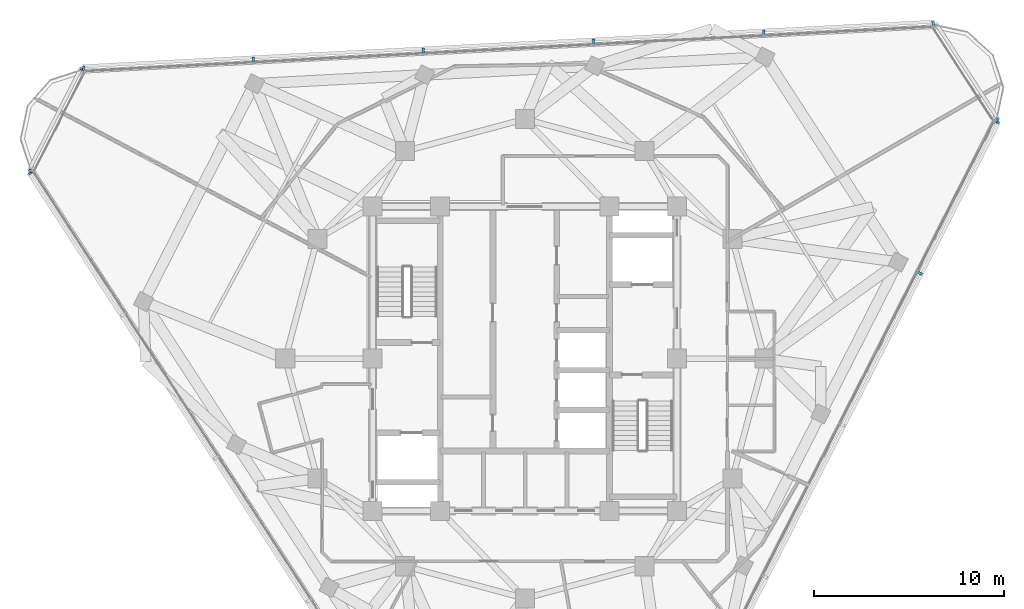
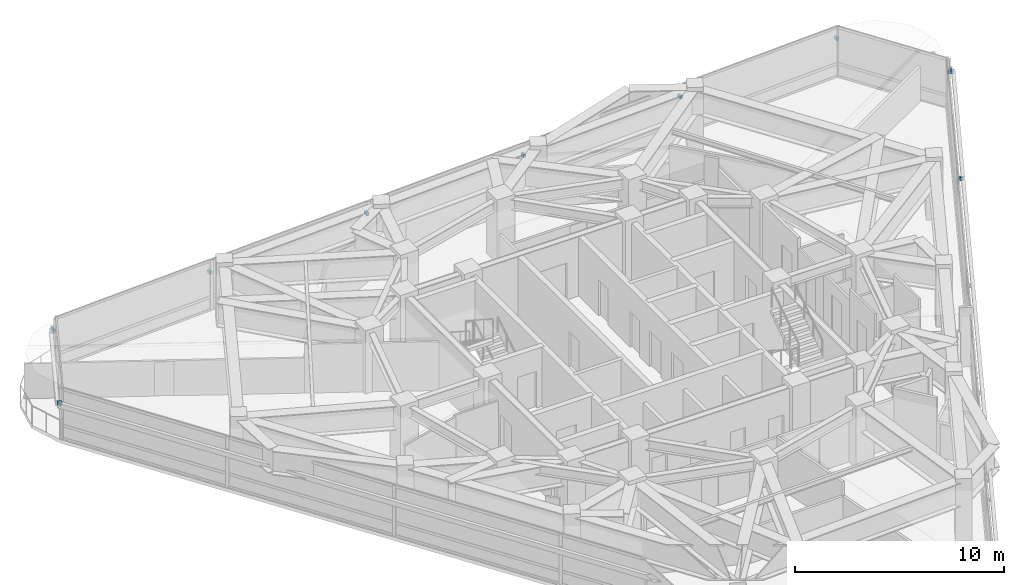
# One storey, part 11 of 15: 12 discrete accessories.
"""IFC4 building model written with IfcOpenShell, lengths in metres."""

from ifc_helpers import new_model, si_unit, direction, frame, origin, origin_2d, place, context, subcontext, project, spatial, rectangle, extrude, material, type_object, element, save


model = new_model("IFC4")

# Units and contexts
model_context = context("Model", 3, precision=1e-05, world=origin(), true_north=direction((0.0, 1.0)))
body_context = subcontext(model_context, "Body", "Model", "MODEL_VIEW")
ifc_project = project(units=[si_unit("LENGTHUNIT", "METRE"), si_unit("AREAUNIT", "SQUARE_METRE"), si_unit("VOLUMEUNIT", "CUBIC_METRE"), si_unit("PLANEANGLEUNIT", "RADIAN"), si_unit("MASSUNIT", "GRAM", prefix="KILO")], contexts=[model_context])

# Site, building, storey
site_placement = place(None, origin())
site = spatial("IfcSite", under=ifc_project, at=site_placement, CompositionType="ELEMENT")
building_placement = place(site_placement, origin())
building = spatial("IfcBuilding", under=site, at=building_placement, Name="Terralouvre Media Tower", CompositionType="ELEMENT")
storey_placement = place(building_placement, frame((0.0, 0.0, 274.39990234375)))
storey = spatial("IfcBuildingStorey", under=building, at=storey_placement, Name="L71", CompositionType="ELEMENT", Elevation=274.39990234375)

# Discrete accessories
ifc_material = material(Name="Anodised extruded aluminium 6063-T6", Category="aluminium")
discrete_accessory_type = type_object("IfcDiscreteAccessoryType", Name="Mullion Stand-Off Baguette Fixing Bracket BK-01", PredefinedType="BRACKET", material=ifc_material)
for number, where, z_axis, x_axis, name in (
    (1, (20.77880859375, 4.49658203125, 2.04931640625), (0.0, 0.0, 1.0), (0.45399044259, 0.891006553308, 0.0), "CW-L71-F0 Baguette Outrigger Bracket 1.05"),
    (2, (24.82958984375, 12.44677734375, 2.04931640625), (0.0, 0.0, 1.0), (0.45399044259, 0.891006553308, 0.0), "CW-L71-F0 Baguette Outrigger Bracket 1.06"),
    (3, (21.4697265625, 17.620361328125, 2.04931640625), (0.0, 0.0, 1.0), (-0.998629523875, -0.052336163844, 0.0), "CW-L71-F1 Baguette Outrigger Bracket 1.01"),
    (4, (12.5595703125, 17.153564453125, 2.04931640625), (0.0, 0.0, 1.0), (-0.998629523875, -0.052336163844, 0.0), "CW-L71-F1 Baguette Outrigger Bracket 1.02"),
    (5, (3.61181640625, 16.6845703125, 2.04931640625), (0.0, 0.0, 1.0), (-0.998629523875, -0.052336163844, 0.0), "CW-L71-F1 Baguette Outrigger Bracket 1.03"),
    (6, (-5.3359375, 16.215576171875, 2.04931640625), (0.0, 0.0, 1.0), (-0.998629523875, -0.052336163844, 0.0), "CW-L71-F1 Baguette Outrigger Bracket 1.04"),
    (7, (-14.28369140625, 15.74658203125, 2.04931640625), (0.0, 0.0, 1.0), (-0.998629523875, -0.052336163844, 0.0), "CW-L71-F1 Baguette Outrigger Bracket 1.05"),
    (8, (-23.194091796875, 15.27978515625, 2.04931640625), (0.0, 0.0, 1.0), (-0.998629523875, -0.052336163844, 0.0), "CW-L71-F1 Baguette Outrigger Bracket 1.06"),
    (9, (-25.99462890625, 9.783203125, 2.04931640625), (0.0, 0.0, 1.0), (0.544639069077, -0.838670545826, 0.0), "CW-L71-F2 Baguette Outrigger Bracket 1.01"),
    (10, (24.807373046875, 12.54052734375, 2.04931640625), (0.0, 0.0, 1.0), (-0.544639197097, 0.838670462688, 0.0), "CW-L71-C1 Baguette Outrigger Bracket 1.01"),
    (11, (-23.26416015625, 15.21337890625, 2.04931640625), (0.0, 0.0, 1.0), (-0.453990349937, -0.891006600517, 0.0), "CW-L71-C2 Baguette Outrigger Bracket 1.01"),
    (12, (-25.982177734375, 9.87890625, 2.04931640625), (0.0, 0.0, 1.0), (-0.453990349937, -0.891006600517, 0.0), "CW-L71-C2 Baguette Outrigger Bracket 1.02"),
):
    element("IfcDiscreteAccessory", number, at=place(storey_placement, frame(where, z_axis=z_axis, x_axis=x_axis)), inside=storey, type_object=discrete_accessory_type, Name=name, PredefinedType="BRACKET", context=body_context, shape_type="SweptSolid", body=[
        extrude(rectangle(XDim=0.139892578125, YDim=0.239990234375, at=origin_2d()), origin(), (0.0, 0.0, 1.0), 0.179931640625),
    ])

save(model, "model.ifc")
